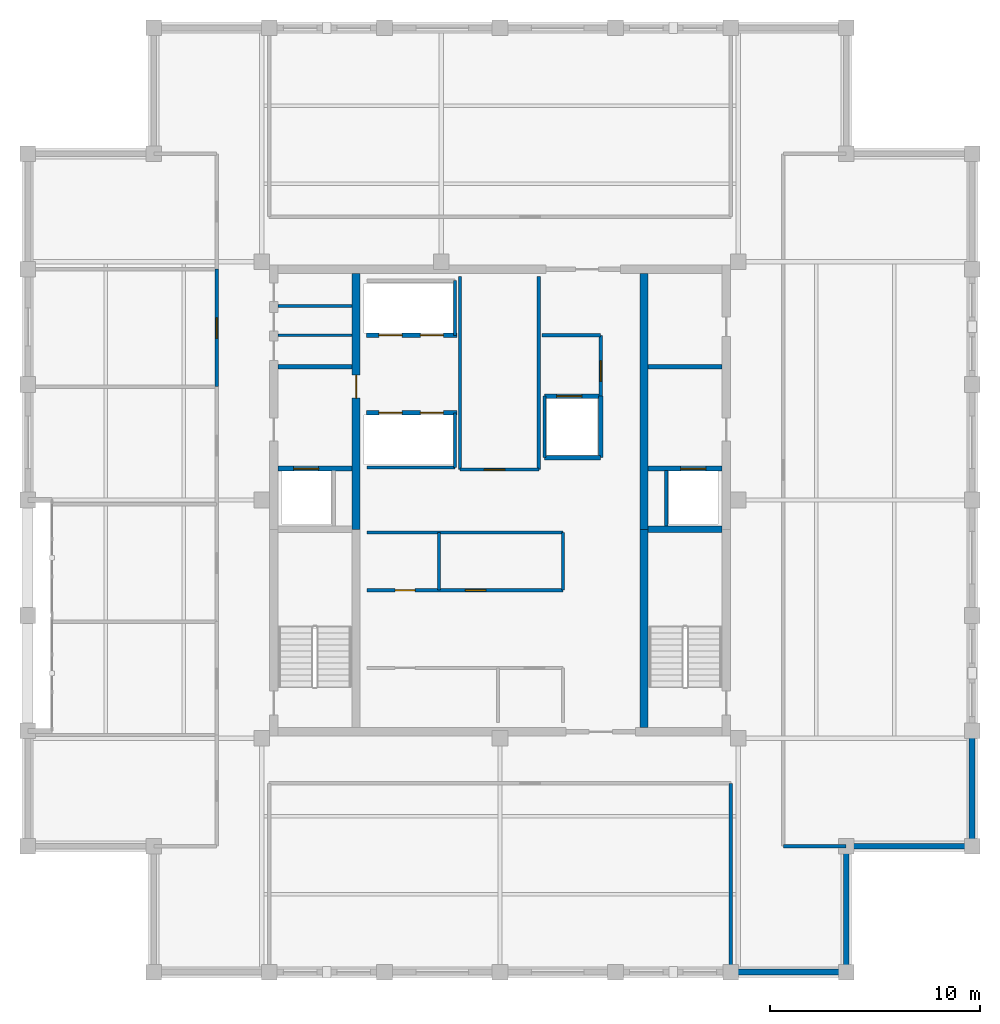
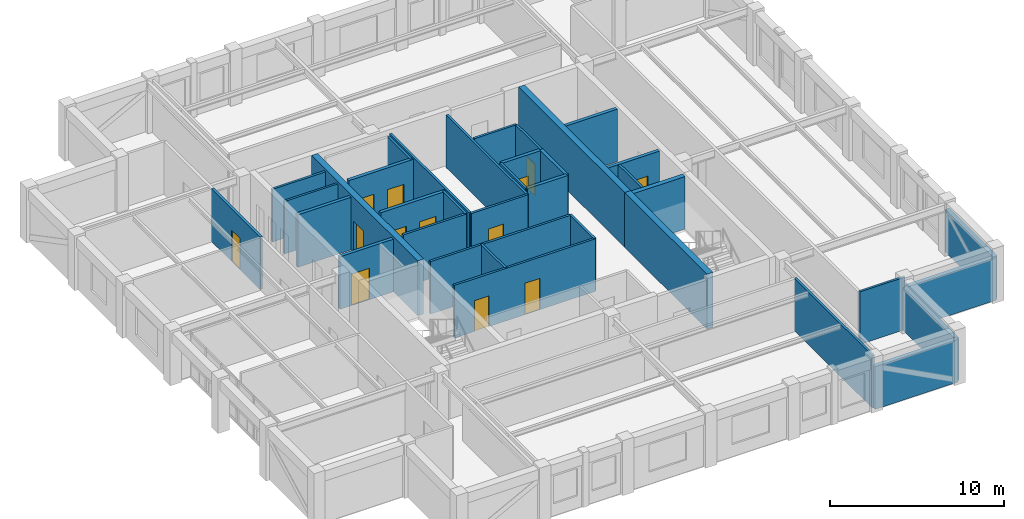
# One storey, part 7 of 10: 36 walls, 13 doors, 13 openings.
"""IFC4 building model written with IfcOpenShell, lengths in metres."""

from ifc_helpers import new_model, si_unit, direction, frame, frame_2d, origin, place, context, subcontext, project, spatial, rectangle, extrude, material, layer, layer_set, type_object, element, fill, save


model = new_model("IFC4")

# Units and contexts
model_context = context("Model", 3, precision=1e-05, world=origin(), true_north=direction((0.0, 1.0)))
body_context = subcontext(model_context, "Body", "Model", "MODEL_VIEW")
ifc_project = project(units=[si_unit("LENGTHUNIT", "METRE"), si_unit("AREAUNIT", "SQUARE_METRE"), si_unit("VOLUMEUNIT", "CUBIC_METRE"), si_unit("PLANEANGLEUNIT", "RADIAN"), si_unit("MASSUNIT", "GRAM", prefix="KILO")], contexts=[model_context])

# Site, building, storey
site_placement = place(None, origin())
site = spatial("IfcSite", under=ifc_project, at=site_placement, CompositionType="ELEMENT")
building_placement = place(site_placement, origin())
building = spatial("IfcBuilding", under=site, at=building_placement, Name="Nhamokura Convention Tower", CompositionType="ELEMENT")
storey_placement = place(building_placement, frame((0.0, 0.0, 296.800048828125)))
storey = spatial("IfcBuildingStorey", under=building, at=storey_placement, Name="L73", CompositionType="ELEMENT", Elevation=296.800048828125)

# Walls
ifc_material_1 = material(Name="Moisture-resistant tile-backer partition", Category="masonry")
ifc_layer_1 = layer(ifc_material_1, 0.139892578125)
ifc_layer_set_1 = layer_set([ifc_layer_1], Name="BathroomWetWall_140")
wall_type_1 = type_object("IfcWallType", Name="BathroomWetWall_140", PredefinedType="STANDARD", material=ifc_layer_set_1)
wall_1_placement = place(storey_placement, frame((21.409912109375, 39.85009765625, 0.0), z_axis=(0.0, 0.0, 1.0), x_axis=(1.0, 0.0, 0.0)))
element("IfcWall", 1, at=wall_1_placement, inside=storey, type_object=wall_type_1, Name="L73 Wall INT-L73-CWNW1", PredefinedType="STANDARD", context=body_context, shape_type="SweptSolid", body=[
    extrude(rectangle(XDim=3.530029296875, YDim=0.139892578125, at=frame_2d((1.76513671875, 0.0))), origin(), (0.0, 0.0, 1.0), 3.68505859375),
])
ifc_material_2 = material(Name="Bronze-pigmented precast concrete C45/55", Category="concrete")
ifc_layer_2 = layer(ifc_material_2, 0.280029296875)
ifc_layer_set_2 = layer_set([ifc_layer_2], Name="BronzePrecastSpandrel_280")
wall_type_2 = type_object("IfcWallType", Name="BronzePrecastSpandrel_280", PredefinedType="USERDEFINED", material=ifc_layer_set_2)
for number, where, z_axis, x_axis, name in (
    (2, (48.5, 9.5, 0.0), (0.0, 0.0, 1.0), (-1.0, 0.0, 0.0), "L73 Braced-Bay Precast Wall SOUTH 5"),
    (3, (54.5, 21.0, 0.0), (0.0, 0.0, 1.0), (0.0, -1.0, 0.0), "L73 Braced-Bay Precast Wall EAST 0"),
):
    element("IfcWall", number, at=place(storey_placement, frame(where, z_axis=z_axis, x_axis=x_axis)), inside=storey, type_object=wall_type_2, Name=name, ObjectType="SPANDREL_WALL", PredefinedType="USERDEFINED", context=body_context, shape_type="SweptSolid", body=[
        extrude(rectangle(XDim=5.5, YDim=0.280029296875, at=frame_2d((2.75, 0.0))), origin(), (0.0, 0.0, 1.0), 2.98486328125),
    ])
for number, where, z_axis, x_axis, name in (
    (4, (48.5, 15.5, 0.0), (0.0, 0.0, 1.0), (0.0, -1.0, 0.0), "L73 Notched Corner Wall SE1"),
    (5, (54.5, 15.5, 0.0), (0.0, 0.0, 1.0), (-1.0, 0.0, 0.0), "L73 Notched Corner Wall SE2"),
):
    element("IfcWall", number, at=place(storey_placement, frame(where, z_axis=z_axis, x_axis=x_axis)), inside=storey, type_object=wall_type_2, Name=name, ObjectType="SPANDREL_WALL", PredefinedType="USERDEFINED", context=body_context, shape_type="SweptSolid", body=[
        extrude(rectangle(XDim=6.0, YDim=0.280029296875, at=frame_2d((3.0, 0.0))), origin(), (0.0, 0.0, 1.0), 2.98486328125),
    ])

# Wall, opening, door
ifc_material_3 = material(Name="Concrete C50/60", Category="concrete")
ifc_layer_3 = layer(ifc_material_3, 0.39990234375)
ifc_layer_set_3 = layer_set([ifc_layer_3], Name="CoreShearWall_400")
wall_type_3 = type_object("IfcWallType", Name="CoreShearWall_400", PredefinedType="SHEAR", material=ifc_layer_set_3)
wall_2_placement = place(storey_placement, frame((25.139892578125, 30.60009765625, 0.0), z_axis=(0.0, 0.0, 1.0), x_axis=(0.0, 1.0, 0.0)))
wall_2 = element("IfcWall", 6, at=wall_2_placement, inside=storey, type_object=wall_type_3, Name="L73 Core Shear Wall CW-IWN", PredefinedType="SHEAR", context=body_context, shape_type="SweptSolid", body=[
    extrude(rectangle(XDim=12.199951171875, YDim=0.39990234375, at=frame_2d((6.10009765625, 0.0))), origin(), (0.0, 0.0, 1.0), 3.849853515625),
])
opening_1_placement = place(wall_2_placement, frame((6.25, 0.0, 0.0)))
opening_1 = element("IfcOpeningElement", 7, at=opening_1_placement, cuts=wall_2, Name="Opening D-05", PredefinedType="OPENING", context=body_context, shape_type="SweptSolid", body=[
    extrude(rectangle(XDim=1.10009765625, YDim=2.14990234375, at=frame_2d((0.550048828125, 1.074951171875))), frame((0.0, 0.2099609375, 0.0), z_axis=(0.0, -1.0, 0.0), x_axis=(1.0, 0.0, 0.0)), (0.0, 0.0, 1.0), 0.419921875),
])
ifc_material_4 = material(Name="Fire-rated steel door", Category="steel")
door_type_1 = type_object("IfcDoorType", Name="FireLobbyDoor_1100", OperationType="NOTDEFINED", PredefinedType="DOOR", material=ifc_material_4)
door_1_placement = place(opening_1_placement, origin())
door_1 = element("IfcDoor", 8, at=door_1_placement, inside=storey, type_object=door_type_1, Name="L73 Core Door INT-L73-D-B3LOB", OperationType="SINGLE_SWING_LEFT", OverallHeight=2.14990234375, OverallWidth=1.10009765625, PredefinedType="DOOR", context=body_context, shape_type="SweptSolid", body=[
    extrude(rectangle(XDim=1.10009765625, YDim=2.14990234375, at=frame_2d((0.550048828125, 1.074951171875))), frame((0.0, 0.02490234375, 0.0), z_axis=(0.0, -1.0, 0.0), x_axis=(1.0, 0.0, 0.0)), (0.0, 0.0, 1.0), 0.050048828125),
])
fill(opening_1, door_1)

# Walls
wall_3_placement = place(storey_placement, frame((38.860107421875, 21.14990234375, 0.0), z_axis=(0.0, 0.0, 1.0), x_axis=(0.0, 1.0, 0.0)))
element("IfcWall", 9, at=wall_3_placement, inside=storey, type_object=wall_type_3, Name="L73 Core Shear Wall CW-IES", PredefinedType="SHEAR", context=body_context, shape_type="SweptSolid", body=[
    extrude(rectangle(XDim=9.4501953125, YDim=0.39990234375, at=frame_2d((4.72509765625, 0.0))), origin(), (0.0, 0.0, 1.0), 3.849853515625),
])
wall_4_placement = place(storey_placement, frame((38.860107421875, 30.60009765625, 0.0), z_axis=(0.0, 0.0, 1.0), x_axis=(0.0, 1.0, 0.0)))
element("IfcWall", 10, at=wall_4_placement, inside=storey, type_object=wall_type_3, Name="L73 Core Shear Wall CW-IEN", PredefinedType="SHEAR", context=body_context, shape_type="SweptSolid", body=[
    extrude(rectangle(XDim=12.199951171875, YDim=0.39990234375, at=frame_2d((6.10009765625, 0.0))), origin(), (0.0, 0.0, 1.0), 3.849853515625),
])

# Wall, opening, door
ifc_material_5 = material(Name="Fire-rated gypsum and masonry partition", Category="masonry")
ifc_layer_4 = layer(ifc_material_5, 0.179931640625)
ifc_layer_set_4 = layer_set([ifc_layer_4], Name="CorridorRatedWall_180")
wall_type_4 = type_object("IfcWallType", Name="CorridorRatedWall_180", PredefinedType="STANDARD", material=ifc_layer_set_4)
wall_5_placement = place(storey_placement, frame((18.5, 37.39990234375, 0.0), z_axis=(0.0, 0.0, 1.0), x_axis=(0.0, 1.0, 0.0)))
wall_5 = element("IfcWall", 11, at=wall_5_placement, inside=storey, type_object=wall_type_4, Name="L73 Wall INT-L73-CW-W04", PredefinedType="STANDARD", context=body_context, shape_type="SweptSolid", body=[
    extrude(rectangle(XDim=5.60009765625, YDim=0.179931640625, at=frame_2d((2.800048828125, 0.0))), origin(), (0.0, 0.0, 1.0), 3.68505859375),
])
opening_2_placement = place(wall_5_placement, frame((2.300048828125, 0.0, 0.0)))
opening_2 = element("IfcOpeningElement", 12, at=opening_2_placement, cuts=wall_5, Name="Opening D-08", PredefinedType="OPENING", context=body_context, shape_type="SweptSolid", body=[
    extrude(rectangle(XDim=0.97998046875, YDim=2.199951171875, at=frame_2d((0.489990234375, 1.10009765625))), frame((0.0, 0.099853515625, 0.0), z_axis=(0.0, -1.0, 0.0), x_axis=(1.0, 0.0, 0.0)), (0.0, 0.0, 1.0), 0.199951171875),
])
ifc_material_6 = material(Name="Solid oak hardwood", Category="wood")
door_type_2 = type_object("IfcDoorType", Name="OfficeEntryDoor_980", OperationType="NOTDEFINED", PredefinedType="DOOR", material=ifc_material_6)
door_2_placement = place(opening_2_placement, origin())
door_2 = element("IfcDoor", 13, at=door_2_placement, inside=storey, type_object=door_type_2, Name="L73 Medical Clinic W05 Door", OperationType="SINGLE_SWING_LEFT", OverallHeight=2.199951171875, OverallWidth=0.97998046875, PredefinedType="DOOR", context=body_context, shape_type="SweptSolid", body=[
    extrude(rectangle(XDim=0.97998046875, YDim=2.199951171875, at=frame_2d((0.489990234375, 1.10009765625))), frame((0.0, 0.02490234375, 0.0), z_axis=(0.0, -1.0, 0.0), x_axis=(1.0, 0.0, 0.0)), (0.0, 0.0, 1.0), 0.050048828125),
])
fill(opening_2, door_2)

ifc_material_7 = material(Name="Autoclaved concrete blockwork", Category="masonry")
ifc_layer_5 = layer(ifc_material_7, 0.219970703125)
ifc_layer_set_5 = layer_set([ifc_layer_5], Name="FireLobbyWall_220")
wall_type_5 = type_object("IfcWallType", Name="FireLobbyWall_220", PredefinedType="STANDARD", material=ifc_layer_set_5)
wall_6_placement = place(storey_placement, frame((21.409912109375, 33.5, 0.0), z_axis=(0.0, 0.0, 1.0), x_axis=(1.0, 0.0, 0.0)))
wall_6 = element("IfcWall", 14, at=wall_6_placement, inside=storey, type_object=wall_type_5, Name="L73 Wall INT-L73-FFW-S", PredefinedType="STANDARD", context=body_context, shape_type="SweptSolid", body=[
    extrude(rectangle(XDim=3.530029296875, YDim=0.219970703125, at=frame_2d((1.76513671875, 0.0))), origin(), (0.0, 0.0, 1.0), 3.68505859375),
])
opening_3_placement = place(wall_6_placement, frame((0.75, 0.0, 0.0)))
opening_3 = element("IfcOpeningElement", 15, at=opening_3_placement, cuts=wall_6, Name="Opening LD-02", PredefinedType="OPENING", context=body_context, shape_type="SweptSolid", body=[
    extrude(rectangle(XDim=1.199951171875, YDim=2.199951171875, at=frame_2d((0.60009765625, 1.10009765625))), frame((0.0, 0.119873046875, 0.0), z_axis=(0.0, -1.0, 0.0), x_axis=(1.0, 0.0, 0.0)), (0.0, 0.0, 1.0), 0.239990234375),
])
ifc_material_8 = material(Name="Anodised bronze stainless steel", Category="steel")
door_type_3 = type_object("IfcDoorType", Name="LiftLandingDoor_FireService", OperationType="DOUBLE_DOOR_SLIDING", PredefinedType="DOOR", material=ifc_material_8)
door_3_placement = place(opening_3_placement, origin())
door_3 = element("IfcDoor", 16, at=door_3_placement, inside=storey, type_object=door_type_3, Name="L73 Firefighting Lift LF-01 Door", OperationType="DOUBLE_DOOR_SLIDING", OverallHeight=2.199951171875, OverallWidth=1.199951171875, PredefinedType="DOOR", context=body_context, shape_type="SweptSolid", body=[
    extrude(rectangle(XDim=1.199951171875, YDim=2.199951171875, at=frame_2d((0.60009765625, 1.10009765625))), frame((0.0, 0.02490234375, 0.0), z_axis=(0.0, -1.0, 0.0), x_axis=(1.0, 0.0, 0.0)), (0.0, 0.0, 1.0), 0.050048828125),
])
fill(opening_3, door_3)

wall_7_placement = place(storey_placement, frame((39.06005859375, 33.5, 0.0), z_axis=(0.0, 0.0, 1.0), x_axis=(1.0, 0.0, 0.0)))
wall_7 = element("IfcWall", 17, at=wall_7_placement, inside=storey, type_object=wall_type_5, Name="L73 Wall INT-L73-FFE-S", PredefinedType="STANDARD", context=body_context, shape_type="SweptSolid", body=[
    extrude(rectangle(XDim=3.530029296875, YDim=0.219970703125, at=frame_2d((1.76513671875, 0.0))), origin(), (0.0, 0.0, 1.0), 3.68505859375),
])
opening_4_placement = place(wall_7_placement, frame((1.550048828125, 0.0, 0.0)))
opening_4 = element("IfcOpeningElement", 18, at=opening_4_placement, cuts=wall_7, Name="Opening LD-02", PredefinedType="OPENING", context=body_context, shape_type="SweptSolid", body=[
    extrude(rectangle(XDim=1.199951171875, YDim=2.199951171875, at=frame_2d((0.60009765625, 1.10009765625))), frame((0.0, 0.119873046875, 0.0), z_axis=(0.0, -1.0, 0.0), x_axis=(1.0, 0.0, 0.0)), (0.0, 0.0, 1.0), 0.239990234375),
])
door_4_placement = place(opening_4_placement, origin())
door_4 = element("IfcDoor", 19, at=door_4_placement, inside=storey, type_object=door_type_3, Name="L73 Firefighting Lift LF-02 Door", OperationType="DOUBLE_DOOR_SLIDING", OverallHeight=2.199951171875, OverallWidth=1.199951171875, PredefinedType="DOOR", context=body_context, shape_type="SweptSolid", body=[
    extrude(rectangle(XDim=1.199951171875, YDim=2.199951171875, at=frame_2d((0.60009765625, 1.10009765625))), frame((0.0, 0.02490234375, 0.0), z_axis=(0.0, -1.0, 0.0), x_axis=(1.0, 0.0, 0.0)), (0.0, 0.0, 1.0), 0.050048828125),
])
fill(opening_4, door_4)

# Walls
for number, where, z_axis, x_axis, name in (
    (20, (21.409912109375, 38.35009765625, 0.0), (0.0, 0.0, 1.0), (1.0, 0.0, 0.0), "L73 Wall INT-L73-FFW-N"),
    (21, (39.06005859375, 38.35009765625, 0.0), (0.0, 0.0, 1.0), (1.0, 0.0, 0.0), "L73 Wall INT-L73-FFE-N"),
):
    element("IfcWall", number, at=place(storey_placement, frame(where, z_axis=z_axis, x_axis=x_axis)), inside=storey, type_object=wall_type_5, Name=name, PredefinedType="STANDARD", context=body_context, shape_type="SweptSolid", body=[
        extrude(rectangle(XDim=3.530029296875, YDim=0.219970703125, at=frame_2d((1.76513671875, 0.0))), origin(), (0.0, 0.0, 1.0), 3.68505859375),
    ])

# Wall, openings, doors
wall_8_placement = place(storey_placement, frame((25.64990234375, 36.14990234375, 0.0), z_axis=(0.0, 0.0, 1.0), x_axis=(1.0, 0.0, 0.0)))
wall_8 = element("IfcWall", 22, at=wall_8_placement, inside=storey, type_object=wall_type_5, Name="L73 Wall INT-L73-B3S", PredefinedType="STANDARD", context=body_context, shape_type="SweptSolid", body=[
    extrude(rectangle(XDim=4.300048828125, YDim=0.219970703125, at=frame_2d((2.14990234375, 0.0))), origin(), (0.0, 0.0, 1.0), 3.68505859375),
])
opening_5_placement = place(wall_8_placement, frame((0.580078125, 0.0, 0.0)))
opening_5 = element("IfcOpeningElement", 23, at=opening_5_placement, cuts=wall_8, Name="Opening LD-01", PredefinedType="OPENING", context=body_context, shape_type="SweptSolid", body=[
    extrude(rectangle(XDim=1.10009765625, YDim=2.14990234375, at=frame_2d((0.550048828125, 1.074951171875))), frame((0.0, 0.119873046875, 0.0), z_axis=(0.0, -1.0, 0.0), x_axis=(1.0, 0.0, 0.0)), (0.0, 0.0, 1.0), 0.239990234375),
])
opening_6_placement = place(wall_8_placement, frame((2.550048828125, 0.0, 0.0)))
opening_6 = element("IfcOpeningElement", 24, at=opening_6_placement, cuts=wall_8, Name="Opening LD-01", PredefinedType="OPENING", context=body_context, shape_type="SweptSolid", body=[
    extrude(rectangle(XDim=1.10009765625, YDim=2.14990234375, at=frame_2d((0.550048828125, 1.074951171875))), frame((0.0, 0.119873046875, 0.0), z_axis=(0.0, -1.0, 0.0), x_axis=(1.0, 0.0, 0.0)), (0.0, 0.0, 1.0), 0.239990234375),
])
ifc_material_9 = material(Name="Anodised bronze stainless steel", Category="steel")
door_type_4 = type_object("IfcDoorType", Name="LiftLandingDoor_Passenger", OperationType="DOUBLE_DOOR_SLIDING", PredefinedType="DOOR", material=ifc_material_9)
door_5_placement = place(opening_5_placement, origin())
door_5 = element("IfcDoor", 25, at=door_5_placement, inside=storey, type_object=door_type_4, Name="L73 Lift LP-09 Door", OperationType="DOUBLE_DOOR_SLIDING", OverallHeight=2.14990234375, OverallWidth=1.10009765625, PredefinedType="DOOR", context=body_context, shape_type="SweptSolid", body=[
    extrude(rectangle(XDim=1.10009765625, YDim=2.14990234375, at=frame_2d((0.550048828125, 1.074951171875))), frame((0.0, 0.02490234375, 0.0), z_axis=(0.0, -1.0, 0.0), x_axis=(1.0, 0.0, 0.0)), (0.0, 0.0, 1.0), 0.050048828125),
])
fill(opening_5, door_5)
door_6_placement = place(opening_6_placement, origin())
door_6 = element("IfcDoor", 26, at=door_6_placement, inside=storey, type_object=door_type_4, Name="L73 Lift LP-10 Door", OperationType="DOUBLE_DOOR_SLIDING", OverallHeight=2.14990234375, OverallWidth=1.10009765625, PredefinedType="DOOR", context=body_context, shape_type="SweptSolid", body=[
    extrude(rectangle(XDim=1.10009765625, YDim=2.14990234375, at=frame_2d((0.550048828125, 1.074951171875))), frame((0.0, 0.02490234375, 0.0), z_axis=(0.0, -1.0, 0.0), x_axis=(1.0, 0.0, 0.0)), (0.0, 0.0, 1.0), 0.050048828125),
])
fill(opening_6, door_6)

wall_9_placement = place(storey_placement, frame((25.64990234375, 39.85009765625, 0.0), z_axis=(0.0, 0.0, 1.0), x_axis=(1.0, 0.0, 0.0)))
wall_9 = element("IfcWall", 27, at=wall_9_placement, inside=storey, type_object=wall_type_5, Name="L73 Wall INT-L73-B3N", PredefinedType="STANDARD", context=body_context, shape_type="SweptSolid", body=[
    extrude(rectangle(XDim=4.300048828125, YDim=0.219970703125, at=frame_2d((2.14990234375, 0.0))), origin(), (0.0, 0.0, 1.0), 3.68505859375),
])
opening_7_placement = place(wall_9_placement, frame((0.580078125, 0.0, 0.0)))
opening_7 = element("IfcOpeningElement", 28, at=opening_7_placement, cuts=wall_9, Name="Opening LD-01", PredefinedType="OPENING", context=body_context, shape_type="SweptSolid", body=[
    extrude(rectangle(XDim=1.10009765625, YDim=2.14990234375, at=frame_2d((0.550048828125, 1.074951171875))), frame((0.0, 0.119873046875, 0.0), z_axis=(0.0, -1.0, 0.0), x_axis=(1.0, 0.0, 0.0)), (0.0, 0.0, 1.0), 0.239990234375),
])
opening_8_placement = place(wall_9_placement, frame((2.550048828125, 0.0, 0.0)))
opening_8 = element("IfcOpeningElement", 29, at=opening_8_placement, cuts=wall_9, Name="Opening LD-01", PredefinedType="OPENING", context=body_context, shape_type="SweptSolid", body=[
    extrude(rectangle(XDim=1.10009765625, YDim=2.14990234375, at=frame_2d((0.550048828125, 1.074951171875))), frame((0.0, 0.119873046875, 0.0), z_axis=(0.0, -1.0, 0.0), x_axis=(1.0, 0.0, 0.0)), (0.0, 0.0, 1.0), 0.239990234375),
])
door_7_placement = place(opening_7_placement, origin())
door_7 = element("IfcDoor", 30, at=door_7_placement, inside=storey, type_object=door_type_4, Name="L73 Lift LP-11 Door", OperationType="DOUBLE_DOOR_SLIDING", OverallHeight=2.14990234375, OverallWidth=1.10009765625, PredefinedType="DOOR", context=body_context, shape_type="SweptSolid", body=[
    extrude(rectangle(XDim=1.10009765625, YDim=2.14990234375, at=frame_2d((0.550048828125, 1.074951171875))), frame((0.0, 0.02490234375, 0.0), z_axis=(0.0, -1.0, 0.0), x_axis=(1.0, 0.0, 0.0)), (0.0, 0.0, 1.0), 0.050048828125),
])
fill(opening_7, door_7)
door_8_placement = place(opening_8_placement, origin())
door_8 = element("IfcDoor", 31, at=door_8_placement, inside=storey, type_object=door_type_4, Name="L73 Lift LP-12 Door", OperationType="DOUBLE_DOOR_SLIDING", OverallHeight=2.14990234375, OverallWidth=1.10009765625, PredefinedType="DOOR", context=body_context, shape_type="SweptSolid", body=[
    extrude(rectangle(XDim=1.10009765625, YDim=2.14990234375, at=frame_2d((0.550048828125, 1.074951171875))), frame((0.0, 0.02490234375, 0.0), z_axis=(0.0, -1.0, 0.0), x_axis=(1.0, 0.0, 0.0)), (0.0, 0.0, 1.0), 0.050048828125),
])
fill(opening_8, door_8)

# Wall, opening, door
wall_10_placement = place(storey_placement, frame((34.1201171875, 36.949951171875, 0.0), z_axis=(0.0, 0.0, 1.0), x_axis=(1.0, 0.0, 0.0)))
wall_10 = element("IfcWall", 32, at=wall_10_placement, inside=storey, type_object=wall_type_5, Name="L73 Wall INT-L73-LSN", PredefinedType="STANDARD", context=body_context, shape_type="SweptSolid", body=[
    extrude(rectangle(XDim=2.679931640625, YDim=0.219970703125, at=frame_2d((1.33984375, 0.0))), origin(), (0.0, 0.0, 1.0), 3.68505859375),
])
opening_9_placement = place(wall_10_placement, frame((0.580078125, 0.0, 0.0)))
opening_9 = element("IfcOpeningElement", 33, at=opening_9_placement, cuts=wall_10, Name="Opening LD-02", PredefinedType="OPENING", context=body_context, shape_type="SweptSolid", body=[
    extrude(rectangle(XDim=1.199951171875, YDim=2.199951171875, at=frame_2d((0.60009765625, 1.10009765625))), frame((0.0, 0.119873046875, 0.0), z_axis=(0.0, -1.0, 0.0), x_axis=(1.0, 0.0, 0.0)), (0.0, 0.0, 1.0), 0.239990234375),
])
door_9_placement = place(opening_9_placement, origin())
door_9 = element("IfcDoor", 34, at=door_9_placement, inside=storey, type_object=door_type_3, Name="L73 Service Lift LS-01 Door", OperationType="DOUBLE_DOOR_SLIDING", OverallHeight=2.199951171875, OverallWidth=1.199951171875, PredefinedType="DOOR", context=body_context, shape_type="SweptSolid", body=[
    extrude(rectangle(XDim=1.199951171875, YDim=2.199951171875, at=frame_2d((0.60009765625, 1.10009765625))), frame((0.0, 0.02490234375, 0.0), z_axis=(0.0, -1.0, 0.0), x_axis=(1.0, 0.0, 0.0)), (0.0, 0.0, 1.0), 0.050048828125),
])
fill(opening_9, door_9)

# Walls
wall_11_placement = place(storey_placement, frame((36.800048828125, 34.02001953125, 0.0), z_axis=(0.0, 0.0, 1.0), x_axis=(0.0, 1.0, 0.0)))
element("IfcWall", 35, at=wall_11_placement, inside=storey, type_object=wall_type_5, Name="L73 Wall INT-L73-LSE", PredefinedType="STANDARD", context=body_context, shape_type="SweptSolid", body=[
    extrude(rectangle(XDim=2.929931640625, YDim=0.219970703125, at=frame_2d((1.46484375, 0.0))), origin(), (0.0, 0.0, 1.0), 3.68505859375),
])
wall_12_placement = place(storey_placement, frame((34.1201171875, 34.02001953125, 0.0), z_axis=(0.0, 0.0, 1.0), x_axis=(1.0, 0.0, 0.0)))
element("IfcWall", 36, at=wall_12_placement, inside=storey, type_object=wall_type_5, Name="L73 Wall INT-L73-LSS", PredefinedType="STANDARD", context=body_context, shape_type="SweptSolid", body=[
    extrude(rectangle(XDim=2.679931640625, YDim=0.219970703125, at=frame_2d((1.33984375, 0.0))), origin(), (0.0, 0.0, 1.0), 3.68505859375),
])
ifc_material_10 = material(Name="Acoustic gypsum stud partition", Category="masonry")
ifc_layer_6 = layer(ifc_material_10, 0.14990234375)
ifc_layer_set_6 = layer_set([ifc_layer_6], Name="InteriorPartition_150")
wall_type_6 = type_object("IfcWallType", Name="InteriorPartition_150", PredefinedType="STANDARD", material=ifc_layer_set_6)
wall_13_placement = place(storey_placement, frame((39.919921875, 30.75, 0.0), z_axis=(0.0, 0.0, 1.0), x_axis=(0.0, 1.0, 0.0)))
element("IfcWall", 37, at=wall_13_placement, inside=storey, type_object=wall_type_6, Name="L73 Wall INT-L73-FF2-W", PredefinedType="STANDARD", context=body_context, shape_type="SweptSolid", body=[
    extrude(rectangle(XDim=2.64990234375, YDim=0.14990234375, at=frame_2d((1.324951171875, 0.0))), origin(), (0.0, 0.0, 1.0), 3.68505859375),
])
wall_14_placement = place(storey_placement, frame((21.409912109375, 41.25, 0.0), z_axis=(0.0, 0.0, 1.0), x_axis=(1.0, 0.0, 0.0)))
element("IfcWall", 38, at=wall_14_placement, inside=storey, type_object=wall_type_6, Name="L73 Wall INT-L73-CWNW2", PredefinedType="STANDARD", context=body_context, shape_type="SweptSolid", body=[
    extrude(rectangle(XDim=3.530029296875, YDim=0.14990234375, at=frame_2d((1.76513671875, 0.0))), origin(), (0.0, 0.0, 1.0), 3.68505859375),
])
wall_15_placement = place(storey_placement, frame((34.0, 39.85009765625, 0.0), z_axis=(0.0, 0.0, 1.0), x_axis=(1.0, 0.0, 0.0)))
element("IfcWall", 39, at=wall_15_placement, inside=storey, type_object=wall_type_6, Name="L73 Wall INT-L73-NE-TELN", PredefinedType="STANDARD", context=body_context, shape_type="SweptSolid", body=[
    extrude(rectangle(XDim=2.800048828125, YDim=0.14990234375, at=frame_2d((1.39990234375, 0.0))), origin(), (0.0, 0.0, 1.0), 3.68505859375),
])

# Wall, opening, door
wall_16_placement = place(storey_placement, frame((36.800048828125, 36.949951171875, 0.0), z_axis=(0.0, 0.0, 1.0), x_axis=(0.0, 1.0, 0.0)))
wall_16 = element("IfcWall", 40, at=wall_16_placement, inside=storey, type_object=wall_type_6, Name="L73 Wall INT-L73-NE-TELE", PredefinedType="STANDARD", context=body_context, shape_type="SweptSolid", body=[
    extrude(rectangle(XDim=2.900146484375, YDim=0.14990234375, at=frame_2d((1.4501953125, 0.0))), origin(), (0.0, 0.0, 1.0), 3.68505859375),
])
opening_10_placement = place(wall_16_placement, frame((0.699951171875, 0.0, 0.0)))
opening_10 = element("IfcOpeningElement", 41, at=opening_10_placement, cuts=wall_16, Name="Opening D-08", PredefinedType="OPENING", context=body_context, shape_type="SweptSolid", body=[
    extrude(rectangle(XDim=0.97998046875, YDim=2.199951171875, at=frame_2d((0.489990234375, 1.10009765625))), frame((0.0, 0.0849609375, 0.0), z_axis=(0.0, -1.0, 0.0), x_axis=(1.0, 0.0, 0.0)), (0.0, 0.0, 1.0), 0.169921875),
])
door_10_placement = place(opening_10_placement, origin())
door_10 = element("IfcDoor", 42, at=door_10_placement, inside=storey, type_object=door_type_2, Name="L73 Core Telecom Door", OperationType="SINGLE_SWING_LEFT", OverallHeight=2.199951171875, OverallWidth=0.97998046875, PredefinedType="DOOR", context=body_context, shape_type="SweptSolid", body=[
    extrude(rectangle(XDim=0.97998046875, YDim=2.199951171875, at=frame_2d((0.489990234375, 1.10009765625))), frame((0.0, 0.02490234375, 0.0), z_axis=(0.0, -1.0, 0.0), x_axis=(1.0, 0.0, 0.0)), (0.0, 0.0, 1.0), 0.050048828125),
])
fill(opening_10, door_10)

# Wall, openings, doors
wall_17_placement = place(storey_placement, frame((25.64990234375, 27.699951171875, 0.0), z_axis=(0.0, 0.0, 1.0), x_axis=(1.0, 0.0, 0.0)))
wall_17 = element("IfcWall", 43, at=wall_17_placement, inside=storey, type_object=wall_type_6, Name="L73 Wall INT-L73-B2R-S", PredefinedType="STANDARD", context=body_context, shape_type="SweptSolid", body=[
    extrude(rectangle(XDim=9.35009765625, YDim=0.14990234375, at=frame_2d((4.675048828125, 0.0))), origin(), (0.0, 0.0, 1.0), 3.68505859375),
])
opening_11_placement = place(wall_17_placement, frame((1.35009765625, 0.0, 0.0)))
opening_11 = element("IfcOpeningElement", 44, at=opening_11_placement, cuts=wall_17, Name="Opening D-09", PredefinedType="OPENING", context=body_context, shape_type="SweptSolid", body=[
    extrude(rectangle(XDim=0.949951171875, YDim=2.14990234375, at=frame_2d((0.47509765625, 1.074951171875))), frame((0.0, 0.0849609375, 0.0), z_axis=(0.0, -1.0, 0.0), x_axis=(1.0, 0.0, 0.0)), (0.0, 0.0, 1.0), 0.169921875),
])
opening_12_placement = place(wall_17_placement, frame((4.699951171875, 0.0, 0.0)))
opening_12 = element("IfcOpeningElement", 45, at=opening_12_placement, cuts=wall_17, Name="Opening D-08", PredefinedType="OPENING", context=body_context, shape_type="SweptSolid", body=[
    extrude(rectangle(XDim=0.97998046875, YDim=2.199951171875, at=frame_2d((0.489990234375, 1.10009765625))), frame((0.0, 0.0849609375, 0.0), z_axis=(0.0, -1.0, 0.0), x_axis=(1.0, 0.0, 0.0)), (0.0, 0.0, 1.0), 0.169921875),
])
ifc_material_11 = material(Name="Solid oak hardwood", Category="wood")
door_type_5 = type_object("IfcDoorType", Name="MeetingRoomDoor_950", OperationType="NOTDEFINED", PredefinedType="DOOR", material=ifc_material_11)
door_11_placement = place(opening_11_placement, origin())
door_11 = element("IfcDoor", 46, at=door_11_placement, inside=storey, type_object=door_type_5, Name="L73 Caucus Suite Door", OperationType="SINGLE_SWING_RIGHT", OverallHeight=2.14990234375, OverallWidth=0.949951171875, PredefinedType="DOOR", context=body_context, shape_type="SweptSolid", body=[
    extrude(rectangle(XDim=0.949951171875, YDim=2.14990234375, at=frame_2d((0.47509765625, 1.074951171875))), frame((0.0, 0.02490234375, 0.0), z_axis=(0.0, -1.0, 0.0), x_axis=(1.0, 0.0, 0.0)), (0.0, 0.0, 1.0), 0.050048828125),
])
fill(opening_11, door_11)
door_12_placement = place(opening_12_placement, origin())
door_12 = element("IfcDoor", 47, at=door_12_placement, inside=storey, type_object=door_type_2, Name="L73 Summit Pantry Door", OperationType="SINGLE_SWING_LEFT", OverallHeight=2.199951171875, OverallWidth=0.97998046875, PredefinedType="DOOR", context=body_context, shape_type="SweptSolid", body=[
    extrude(rectangle(XDim=0.97998046875, YDim=2.199951171875, at=frame_2d((0.489990234375, 1.10009765625))), frame((0.0, 0.02490234375, 0.0), z_axis=(0.0, -1.0, 0.0), x_axis=(1.0, 0.0, 0.0)), (0.0, 0.0, 1.0), 0.050048828125),
])
fill(opening_12, door_12)

# Walls
wall_18_placement = place(storey_placement, frame((25.64990234375, 30.449951171875, 0.0), z_axis=(0.0, 0.0, 1.0), x_axis=(1.0, 0.0, 0.0)))
element("IfcWall", 48, at=wall_18_placement, inside=storey, type_object=wall_type_6, Name="L73 Wall INT-L73-B2R-N", PredefinedType="STANDARD", context=body_context, shape_type="SweptSolid", body=[
    extrude(rectangle(XDim=9.35009765625, YDim=0.14990234375, at=frame_2d((4.675048828125, 0.0))), origin(), (0.0, 0.0, 1.0), 3.68505859375),
])
for number, where, z_axis, x_axis, name in (
    (49, (29.10009765625, 27.699951171875, 0.0), (0.0, 0.0, 1.0), (0.0, 1.0, 0.0), "L73 Wall INT-L73-B2R-M"),
    (50, (35.0, 27.699951171875, 0.0), (0.0, 0.0, 1.0), (0.0, 1.0, 0.0), "L73 Wall INT-L73-B2R-E"),
):
    element("IfcWall", number, at=place(storey_placement, frame(where, z_axis=z_axis, x_axis=x_axis)), inside=storey, type_object=wall_type_6, Name=name, PredefinedType="STANDARD", context=body_context, shape_type="SweptSolid", body=[
        extrude(rectangle(XDim=2.75, YDim=0.14990234375, at=frame_2d((1.375, 0.0))), origin(), (0.0, 0.0, 1.0), 3.68505859375),
    ])
wall_19_placement = place(storey_placement, frame((25.64990234375, 33.550048828125, 0.0), z_axis=(0.0, 0.0, 1.0), x_axis=(1.0, 0.0, 0.0)))
element("IfcWall", 51, at=wall_19_placement, inside=storey, type_object=wall_type_6, Name="L73 Wall INT-L73-B3A-S", PredefinedType="STANDARD", context=body_context, shape_type="SweptSolid", body=[
    extrude(rectangle(XDim=4.2001953125, YDim=0.14990234375, at=frame_2d((2.10009765625, 0.0))), origin(), (0.0, 0.0, 1.0), 3.68505859375),
])
for number, where, z_axis, x_axis, name in (
    (52, (29.85009765625, 33.550048828125, 0.0), (0.0, 0.0, 1.0), (0.0, 1.0, 0.0), "L73 Wall INT-L73-B3A-E"),
    (53, (29.85009765625, 39.85009765625, 0.0), (0.0, 0.0, 1.0), (0.0, 1.0, 0.0), "L73 Wall INT-L73-B3B-E"),
):
    element("IfcWall", number, at=place(storey_placement, frame(where, z_axis=z_axis, x_axis=x_axis)), inside=storey, type_object=wall_type_6, Name=name, PredefinedType="STANDARD", context=body_context, shape_type="SweptSolid", body=[
        extrude(rectangle(XDim=2.599853515625, YDim=0.14990234375, at=frame_2d((1.2998046875, 0.0))), origin(), (0.0, 0.0, 1.0), 3.68505859375),
    ])
for number, where, z_axis, x_axis, name in (
    (54, (30.10009765625, 33.449951171875, 0.0), (0.0, 0.0, 1.0), (0.0, 1.0, 0.0), "L73 Wall INT-L73-ST03W"),
    (55, (33.85009765625, 33.449951171875, 0.0), (0.0, 0.0, 1.0), (0.0, 1.0, 0.0), "L73 Wall INT-L73-ST03E"),
):
    element("IfcWall", number, at=place(storey_placement, frame(where, z_axis=z_axis, x_axis=x_axis)), inside=storey, type_object=wall_type_6, Name=name, PredefinedType="STANDARD", context=body_context, shape_type="SweptSolid", body=[
        extrude(rectangle(XDim=9.199951171875, YDim=0.14990234375, at=frame_2d((4.60009765625, 0.0))), origin(), (0.0, 0.0, 1.0), 3.68505859375),
    ])

# Wall, opening, door
wall_20_placement = place(storey_placement, frame((30.10009765625, 33.449951171875, 0.0), z_axis=(0.0, 0.0, 1.0), x_axis=(1.0, 0.0, 0.0)))
wall_20 = element("IfcWall", 56, at=wall_20_placement, inside=storey, type_object=wall_type_6, Name="L73 Wall INT-L73-ST03S", PredefinedType="STANDARD", context=body_context, shape_type="SweptSolid", body=[
    extrude(rectangle(XDim=3.75, YDim=0.14990234375, at=frame_2d((1.875, 0.0))), origin(), (0.0, 0.0, 1.0), 3.68505859375),
])
opening_13_placement = place(wall_20_placement, frame((1.14990234375, 0.0, 0.0)))
opening_13 = element("IfcOpeningElement", 57, at=opening_13_placement, cuts=wall_20, Name="Opening D-08", PredefinedType="OPENING", context=body_context, shape_type="SweptSolid", body=[
    extrude(rectangle(XDim=0.97998046875, YDim=2.199951171875, at=frame_2d((0.489990234375, 1.10009765625))), frame((0.0, 0.0849609375, 0.0), z_axis=(0.0, -1.0, 0.0), x_axis=(1.0, 0.0, 0.0)), (0.0, 0.0, 1.0), 0.169921875),
])
door_13_placement = place(opening_13_placement, origin())
door_13 = element("IfcDoor", 58, at=door_13_placement, inside=storey, type_object=door_type_2, Name="L73 Wellness and Records Room Door", OperationType="SINGLE_SWING_RIGHT", OverallHeight=2.199951171875, OverallWidth=0.97998046875, PredefinedType="DOOR", context=body_context, shape_type="SweptSolid", body=[
    extrude(rectangle(XDim=0.97998046875, YDim=2.199951171875, at=frame_2d((0.489990234375, 1.10009765625))), frame((0.0, 0.02490234375, 0.0), z_axis=(0.0, -1.0, 0.0), x_axis=(1.0, 0.0, 0.0)), (0.0, 0.0, 1.0), 0.050048828125),
])
fill(opening_13, door_13)

# Walls
wall_21_placement = place(storey_placement, frame((34.1201171875, 34.02001953125, 0.0), z_axis=(0.0, 0.0, 1.0), x_axis=(0.0, 1.0, 0.0)))
element("IfcWall", 59, at=wall_21_placement, inside=storey, type_object=wall_type_6, Name="L73 Wall INT-L73-LSW", PredefinedType="STANDARD", context=body_context, shape_type="SweptSolid", body=[
    extrude(rectangle(XDim=2.929931640625, YDim=0.14990234375, at=frame_2d((1.46484375, 0.0))), origin(), (0.0, 0.0, 1.0), 3.68505859375),
])
wall_22_placement = place(storey_placement, frame((43.0, 9.56005859375, 0.0), z_axis=(0.0, 0.0, 1.0), x_axis=(0.0, 1.0, 0.0)))
element("IfcWall", 60, at=wall_22_placement, inside=storey, type_object=wall_type_6, Name="L73 Wall INT-L73-RWR-S", PredefinedType="STANDARD", context=body_context, shape_type="SweptSolid", body=[
    extrude(rectangle(XDim=8.93994140625, YDim=0.14990234375, at=frame_2d((4.469970703125, 0.0))), origin(), (0.0, 0.0, 1.0), 3.68505859375),
])
wall_23_placement = place(storey_placement, frame((45.5, 15.5, 0.0), z_axis=(0.0, 0.0, 1.0), x_axis=(1.0, 0.0, 0.0)))
element("IfcWall", 61, at=wall_23_placement, inside=storey, type_object=wall_type_6, Name="L73 Wall INT-L73-VSTP-ES", PredefinedType="STANDARD", context=body_context, shape_type="SweptSolid", body=[
    extrude(rectangle(XDim=3.0, YDim=0.14990234375, at=frame_2d((1.5, 0.0))), origin(), (0.0, 0.0, 1.0), 3.68505859375),
])
ifc_material_12 = material(Name="Concrete C50/60", Category="concrete")
ifc_layer_7 = layer(ifc_material_12, 0.300048828125)
ifc_layer_set_7 = layer_set([ifc_layer_7], Name="ShaftEnclosureWall_300")
wall_type_7 = type_object("IfcWallType", Name="ShaftEnclosureWall_300", PredefinedType="SHEAR", material=ifc_layer_set_7)
wall_24_placement = place(storey_placement, frame((39.06005859375, 30.60009765625, 0.0), z_axis=(0.0, 0.0, 1.0), x_axis=(1.0, 0.0, 0.0)))
element("IfcWall", 62, at=wall_24_placement, inside=storey, type_object=wall_type_7, Name="L73 Wall INT-L73-ST02-N", PredefinedType="SHEAR", context=body_context, shape_type="SweptSolid", body=[
    extrude(rectangle(XDim=3.530029296875, YDim=0.300048828125, at=frame_2d((1.76513671875, 0.0))), origin(), (0.0, 0.0, 1.0), 3.68505859375),
])

save(model, "model.ifc")
